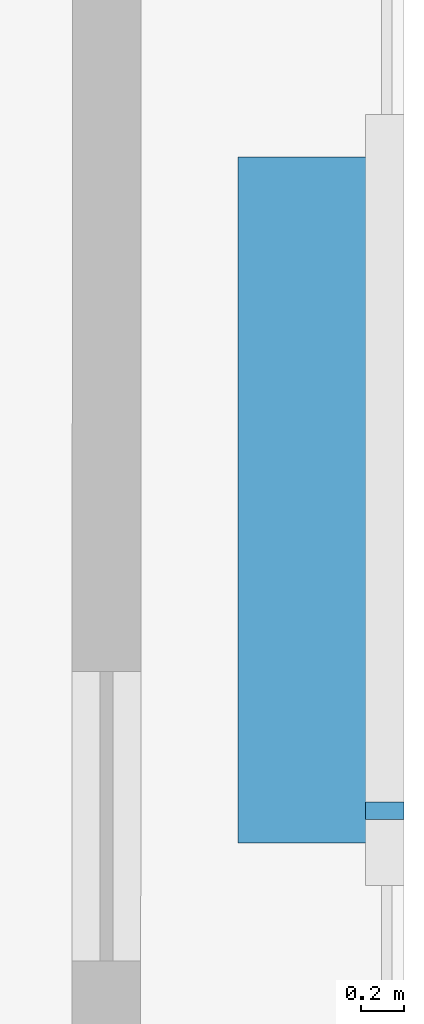
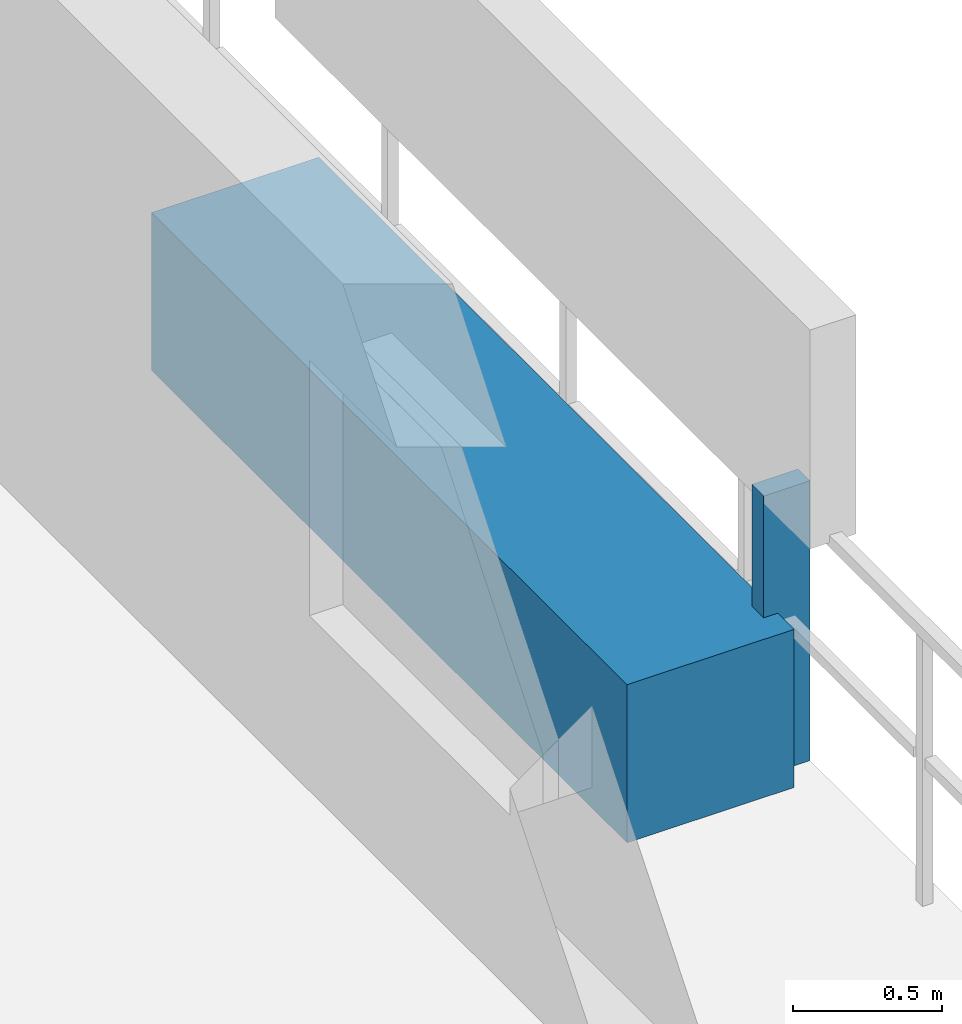
# One storey, part 30 of 34: 2 discrete accessories.
"""IFC4 building model written with IfcOpenShell, lengths in metres."""

from ifc_helpers import new_model, si_unit, direction, frame, origin, origin_2d, place, context, subcontext, project, spatial, rectangle, extrude, material, type_object, element, save


model = new_model("IFC4")

# Units and contexts
model_context = context("Model", 3, precision=1e-05, world=origin(), true_north=direction((0.0, 1.0)))
body_context = subcontext(model_context, "Body", "Model", "MODEL_VIEW")
ifc_project = project(units=[si_unit("LENGTHUNIT", "METRE"), si_unit("AREAUNIT", "SQUARE_METRE"), si_unit("VOLUMEUNIT", "CUBIC_METRE"), si_unit("PLANEANGLEUNIT", "RADIAN"), si_unit("MASSUNIT", "GRAM", prefix="KILO")], contexts=[model_context])

# Site, building, storey
site_placement = place(None, origin())
site = spatial("IfcSite", under=ifc_project, at=site_placement, CompositionType="ELEMENT")
building_placement = place(site_placement, origin())
building = spatial("IfcBuilding", under=site, at=building_placement, Name="Thornwick Lancets Civic Towers", CompositionType="ELEMENT")
storey_placement = place(building_placement, frame((0.0, 0.0, 251.10009765625)))
storey = spatial("IfcBuildingStorey", under=building, at=storey_placement, Name="L67", CompositionType="ELEMENT", Elevation=251.10009765625)

# Discrete accessories
ifc_material_1 = material(Name="Planted terracotta greenery planter", Category="masonry")
discrete_accessory_type_1 = type_object("IfcDiscreteAccessoryType", Name="ACC_PLANTER_BOX", PredefinedType="USERDEFINED", material=ifc_material_1)
discrete_accessory_1_placement = place(storey_placement, frame((113.199951171875, 27.0, 0.0), z_axis=(0.0, 0.0, 1.0), x_axis=(1.0, 0.0, 0.0)))
element("IfcDiscreteAccessory", 1, at=discrete_accessory_1_placement, inside=storey, type_object=discrete_accessory_type_1, Name="L67 Tower B Balcony Greenery Planter E", ObjectType="PLANTER", PredefinedType="USERDEFINED", context=body_context, shape_type="SweptSolid", body=[
    extrude(rectangle(XDim=0.64990234375, YDim=3.199951171875, at=origin_2d()), origin(), (0.0, 0.0, 1.0), 0.64990234375),
])
ifc_material_2 = material(Name="Stainless steel S355", Category="steel")
discrete_accessory_type_2 = type_object("IfcDiscreteAccessoryType", Name="ACC_SCREEN_BRACKET", PredefinedType="BRACKET", material=ifc_material_2)
discrete_accessory_2_placement = place(storey_placement, frame((113.56005859375, 25.550048828125, 0.0), z_axis=(0.0, 0.0, 1.0), x_axis=(0.0, 1.0, 0.0)))
element("IfcDiscreteAccessory", 2, at=discrete_accessory_2_placement, inside=storey, type_object=discrete_accessory_type_2, Name="L67 Tower B Balcony Screen Stanchion Bracket E-1", PredefinedType="BRACKET", context=body_context, shape_type="SweptSolid", body=[
    extrude(rectangle(XDim=0.080078125, YDim=0.179931640625, at=origin_2d()), origin(), (0.0, 0.0, 1.0), 1.14990234375),
])

save(model, "model.ifc")
